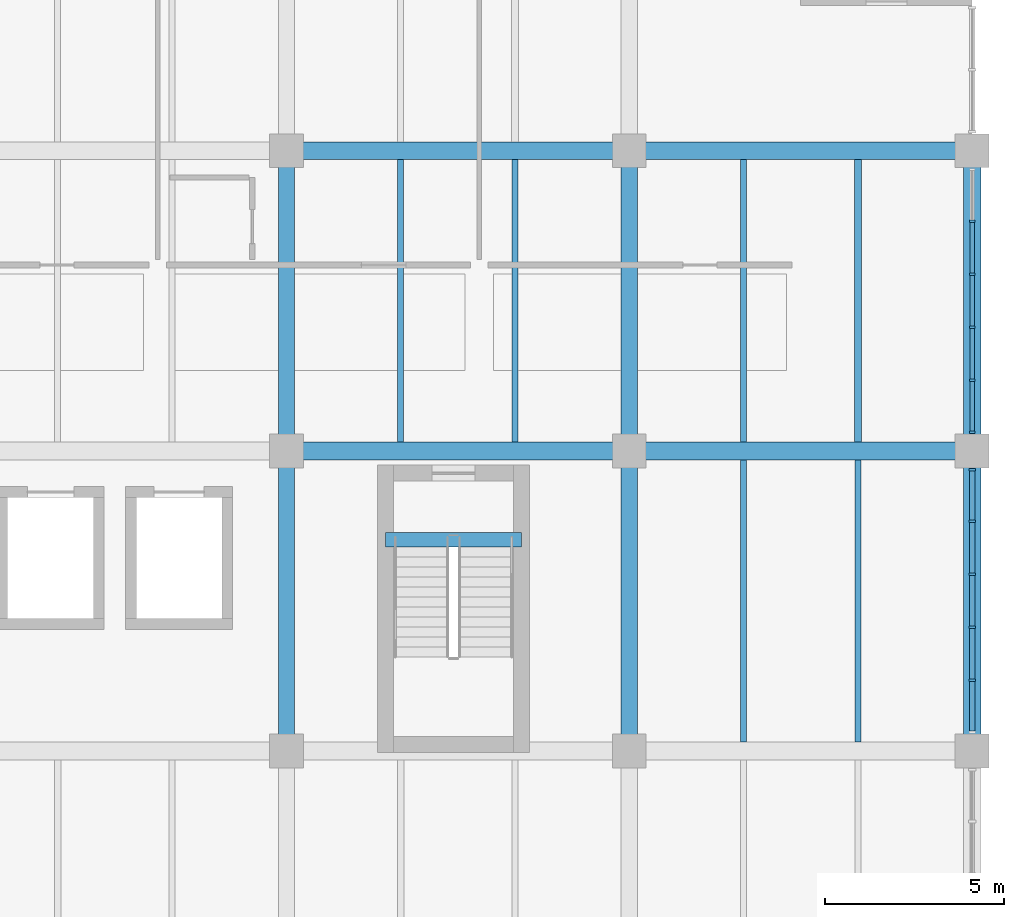
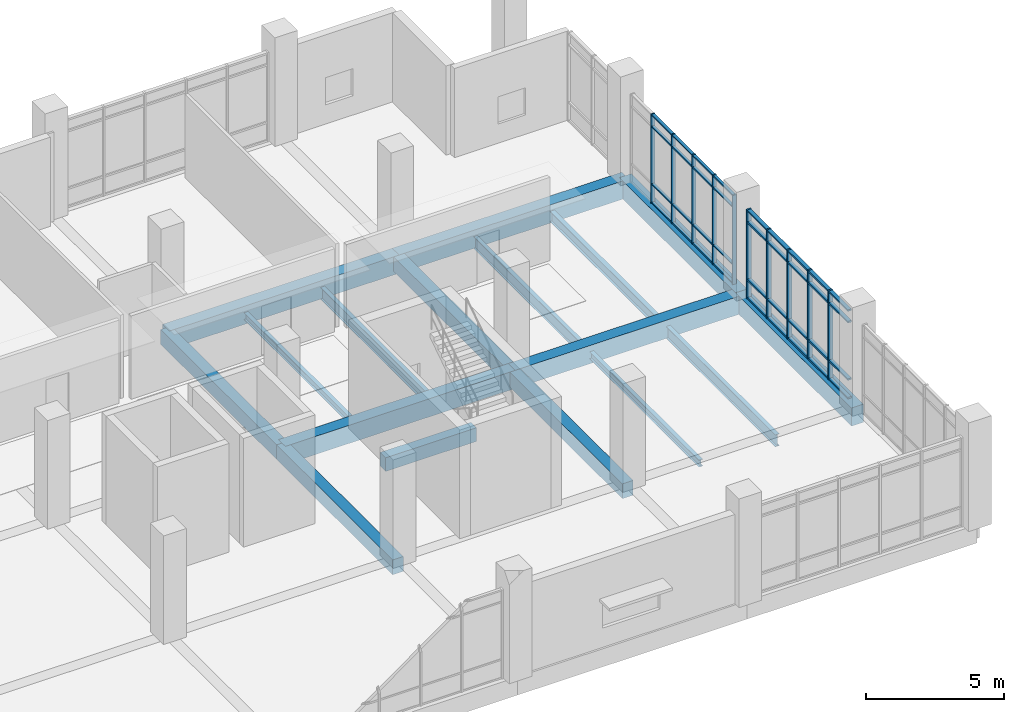
# One storey, part 76 of 152: 46 members, 17 beams, 2 elements without a shape of their own.
"""IFC4 building model written with IfcOpenShell, lengths in metres."""

from ifc_helpers import new_model, si_unit, direction, frame, origin, origin_2d, place, context, subcontext, project, spatial, rectangle, i_section, extrude, material, material_profile, profile_set, type_object, element, aggregate, save


model = new_model("IFC4")

# Units and contexts
model_context = context("Model", 3, precision=1e-05, world=origin(), true_north=direction((0.0, 1.0)))
body_context = subcontext(model_context, "Body", "Model", "MODEL_VIEW")
ifc_project = project(units=[si_unit("LENGTHUNIT", "METRE"), si_unit("AREAUNIT", "SQUARE_METRE"), si_unit("VOLUMEUNIT", "CUBIC_METRE"), si_unit("PLANEANGLEUNIT", "RADIAN"), si_unit("MASSUNIT", "GRAM", prefix="KILO")], contexts=[model_context])

# Site, building, storey
site_placement = place(None, origin())
site = spatial("IfcSite", under=ifc_project, at=site_placement, CompositionType="ELEMENT")
building_placement = place(site_placement, origin())
building = spatial("IfcBuilding", under=site, at=building_placement, Name="Oolite Switchyard Hospital", CompositionType="ELEMENT")
storey_placement = place(building_placement, frame((0.0, 0.0, 5.10009765625)))
storey = spatial("IfcBuildingStorey", under=building, at=storey_placement, Name="L01", CompositionType="ELEMENT", Elevation=5.10009765625)

# Beams
ifc_material_1 = material(Name="Concrete C40/50", Category="concrete")
ifc_material_profile_1 = material_profile(ifc_material_1, rectangle(XDim=0.39990234375, YDim=0.60009765625, at=origin_2d()), Name="RCB400X600")
ifc_profile_set_1 = profile_set([ifc_material_profile_1], Name="Concrete C40/50")
beam_type_1 = type_object("IfcBeamType", Name="BM-RC400X600", PredefinedType="BEAM", material=ifc_profile_set_1)
beam_1_placement = place(storey_placement, frame((194.77490234375, 115.110107421875, -0.300048828125), z_axis=(1.0, 0.0, 0.0), x_axis=(0.0, 1.0, 0.0)))
element("IfcBeam", 1, at=beam_1_placement, inside=storey, type_object=beam_type_1, Name="L01 ST-04 Stair Throat Trimmer Beam", PredefinedType="BEAM", context=body_context, shape_type="SweptSolid", body=[
    extrude(rectangle(XDim=0.39990234375, YDim=0.60009765625, at=origin_2d()), origin(), (0.0, 0.0, 1.0), 3.81005859375),
])
ifc_material_profile_2 = material_profile(ifc_material_1, rectangle(XDim=0.449951171875, YDim=0.64990234375, at=origin_2d()), Name="RCB450X650")
ifc_profile_set_2 = profile_set([ifc_material_profile_2], Name="Concrete C40/50")
beam_type_2 = type_object("IfcBeamType", Name="BM-RC450X650", PredefinedType="BEAM", material=ifc_profile_set_2)
beam_2_placement = place(storey_placement, frame((192.0, 109.199951171875, -0.3251953125), z_axis=(0.0, 1.0, 0.0), x_axis=(-1.0, 0.0, 0.0)))
element("IfcBeam", 2, at=beam_2_placement, inside=storey, type_object=beam_type_2, Name="L01 Y-Girder 532", PredefinedType="BEAM", context=body_context, shape_type="SweptSolid", body=[
    extrude(rectangle(XDim=0.449951171875, YDim=0.64990234375, at=origin_2d()), origin(), (0.0, 0.0, 1.0), 8.400146484375),
])
beam_3_placement = place(storey_placement, frame((192.0, 117.60009765625, -0.3251953125), z_axis=(0.0, 1.0, 0.0), x_axis=(-1.0, 0.0, 0.0)))
element("IfcBeam", 3, at=beam_3_placement, inside=storey, type_object=beam_type_2, Name="L01 Y-Girder 533", PredefinedType="BEAM", context=body_context, shape_type="SweptSolid", body=[
    extrude(rectangle(XDim=0.449951171875, YDim=0.64990234375, at=origin_2d()), origin(), (0.0, 0.0, 1.0), 8.39990234375),
])
beam_4_placement = place(storey_placement, frame((201.60009765625, 109.199951171875, -0.3251953125), z_axis=(0.0, 1.0, 0.0), x_axis=(-1.0, 0.0, 0.0)))
element("IfcBeam", 4, at=beam_4_placement, inside=storey, type_object=beam_type_2, Name="L01 Y-Girder 544", PredefinedType="BEAM", context=body_context, shape_type="SweptSolid", body=[
    extrude(rectangle(XDim=0.449951171875, YDim=0.64990234375, at=origin_2d()), origin(), (0.0, 0.0, 1.0), 8.400146484375),
])
beam_5_placement = place(storey_placement, frame((201.60009765625, 117.60009765625, -0.3251953125), z_axis=(0.0, 1.0, 0.0), x_axis=(-1.0, 0.0, 0.0)))
element("IfcBeam", 5, at=beam_5_placement, inside=storey, type_object=beam_type_2, Name="L01 Y-Girder 545", PredefinedType="BEAM", context=body_context, shape_type="SweptSolid", body=[
    extrude(rectangle(XDim=0.449951171875, YDim=0.64990234375, at=origin_2d()), origin(), (0.0, 0.0, 1.0), 8.39990234375),
])
ifc_material_profile_3 = material_profile(ifc_material_1, rectangle(XDim=0.5, YDim=0.800048828125, at=origin_2d()), Name="RCB500X800")
ifc_profile_set_3 = profile_set([ifc_material_profile_3], Name="Concrete C40/50")
beam_type_3 = type_object("IfcBeamType", Name="BM-RC500X800", PredefinedType="BEAM", material=ifc_profile_set_3)
beam_6_placement = place(storey_placement, frame((192.0, 117.60009765625, -0.400146484375), z_axis=(1.0, 0.0, 0.0), x_axis=(0.0, 1.0, 0.0)))
element("IfcBeam", 6, at=beam_6_placement, inside=storey, type_object=beam_type_3, Name="L01 X-Girder 253", PredefinedType="BEAM", context=body_context, shape_type="SweptSolid", body=[
    extrude(rectangle(XDim=0.5, YDim=0.800048828125, at=origin_2d()), origin(), (0.0, 0.0, 1.0), 9.60009765625),
])
beam_7_placement = place(storey_placement, frame((201.60009765625, 117.60009765625, -0.400146484375), z_axis=(1.0, 0.0, 0.0), x_axis=(0.0, 1.0, 0.0)))
element("IfcBeam", 7, at=beam_7_placement, inside=storey, type_object=beam_type_3, Name="L01 X-Girder 254", PredefinedType="BEAM", context=body_context, shape_type="SweptSolid", body=[
    extrude(rectangle(XDim=0.5, YDim=0.800048828125, at=origin_2d()), origin(), (0.0, 0.0, 1.0), 9.599853515625),
])
beam_8_placement = place(storey_placement, frame((192.0, 126.0, -0.400146484375), z_axis=(1.0, 0.0, 0.0), x_axis=(0.0, 1.0, 0.0)))
element("IfcBeam", 8, at=beam_8_placement, inside=storey, type_object=beam_type_3, Name="L01 X-Girder 269", PredefinedType="BEAM", context=body_context, shape_type="SweptSolid", body=[
    extrude(rectangle(XDim=0.5, YDim=0.800048828125, at=origin_2d()), origin(), (0.0, 0.0, 1.0), 9.60009765625),
])
beam_9_placement = place(storey_placement, frame((201.60009765625, 126.0, -0.400146484375), z_axis=(1.0, 0.0, 0.0), x_axis=(0.0, 1.0, 0.0)))
element("IfcBeam", 9, at=beam_9_placement, inside=storey, type_object=beam_type_3, Name="L01 X-Girder 270", PredefinedType="BEAM", context=body_context, shape_type="SweptSolid", body=[
    extrude(rectangle(XDim=0.5, YDim=0.800048828125, at=origin_2d()), origin(), (0.0, 0.0, 1.0), 9.599853515625),
])
beam_10_placement = place(storey_placement, frame((211.199951171875, 109.199951171875, -0.400146484375), z_axis=(0.0, 1.0, 0.0), x_axis=(-1.0, 0.0, 0.0)))
element("IfcBeam", 10, at=beam_10_placement, inside=storey, type_object=beam_type_3, Name="L01 Y-Girder 560", PredefinedType="BEAM", context=body_context, shape_type="SweptSolid", body=[
    extrude(rectangle(XDim=0.5, YDim=0.800048828125, at=origin_2d()), origin(), (0.0, 0.0, 1.0), 8.400146484375),
])
beam_11_placement = place(storey_placement, frame((211.199951171875, 117.60009765625, -0.400146484375), z_axis=(0.0, 1.0, 0.0), x_axis=(-1.0, 0.0, 0.0)))
element("IfcBeam", 11, at=beam_11_placement, inside=storey, type_object=beam_type_3, Name="L01 Y-Girder 561", PredefinedType="BEAM", context=body_context, shape_type="SweptSolid", body=[
    extrude(rectangle(XDim=0.5, YDim=0.800048828125, at=origin_2d()), origin(), (0.0, 0.0, 1.0), 8.39990234375),
])
ifc_material_2 = material(Name="Steel ASTM A992 Grade 50", Category="steel")
ifc_material_profile_4 = material_profile(ifc_material_2, i_section(OverallWidth=0.1650390625, OverallDepth=0.31005859375, WebThickness=0.006103515625, FlangeThickness=0.010009765625, at=origin_2d()), Name="W12X26")
ifc_profile_set_4 = profile_set([ifc_material_profile_4], Name="Steel ASTM A992 Grade 50")
beam_type_4 = type_object("IfcBeamType", Name="BM-W12X26", PredefinedType="JOIST", material=ifc_profile_set_4)
beam_12_placement = place(storey_placement, frame((195.199951171875, 117.85009765625, -0.43017578125), z_axis=(0.0, 1.0, 0.0), x_axis=(-1.0, 0.0, 0.0)))
element("IfcBeam", 12, at=beam_12_placement, inside=storey, type_object=beam_type_4, Name="L01 Secondary Steel Joist 968", PredefinedType="JOIST", context=body_context, shape_type="SweptSolid", body=[
    extrude(i_section(OverallWidth=0.1650390625, OverallDepth=0.31005859375, WebThickness=0.006103515625, FlangeThickness=0.010009765625, at=origin_2d()), origin(), (0.0, 0.0, 1.0), 7.89990234375),
])
beam_13_placement = place(storey_placement, frame((204.800048828125, 109.449951171875, -0.43017578125), z_axis=(0.0, 1.0, 0.0), x_axis=(-1.0, 0.0, 0.0)))
element("IfcBeam", 13, at=beam_13_placement, inside=storey, type_object=beam_type_4, Name="L01 Secondary Steel Joist 984", PredefinedType="JOIST", context=body_context, shape_type="SweptSolid", body=[
    extrude(i_section(OverallWidth=0.1650390625, OverallDepth=0.31005859375, WebThickness=0.006103515625, FlangeThickness=0.010009765625, at=origin_2d()), origin(), (0.0, 0.0, 1.0), 7.900146484375),
])
ifc_material_profile_5 = material_profile(ifc_material_2, i_section(OverallWidth=0.19091796875, OverallDepth=0.4599609375, WebThickness=0.010009765625, FlangeThickness=0.01611328125, at=origin_2d()), Name="W18X55")
ifc_profile_set_5 = profile_set([ifc_material_profile_5], Name="Steel ASTM A992 Grade 50")
beam_type_5 = type_object("IfcBeamType", Name="BM-W18X55", PredefinedType="JOIST", material=ifc_profile_set_5)
beam_14_placement = place(storey_placement, frame((208.0, 117.85009765625, -0.505126953125), z_axis=(0.0, 1.0, 0.0), x_axis=(-1.0, 0.0, 0.0)))
element("IfcBeam", 14, at=beam_14_placement, inside=storey, type_object=beam_type_5, Name="L01 Secondary Steel Joist 987", PredefinedType="JOIST", context=body_context, shape_type="SweptSolid", body=[
    extrude(i_section(OverallWidth=0.19091796875, OverallDepth=0.4599609375, WebThickness=0.010009765625, FlangeThickness=0.01611328125, at=origin_2d()), origin(), (0.0, 0.0, 1.0), 7.89990234375),
])
ifc_material_profile_6 = material_profile(ifc_material_2, i_section(OverallWidth=0.166015625, OverallDepth=0.529052734375, WebThickness=0.010009765625, FlangeThickness=0.013916015625, at=origin_2d()), Name="W21X50")
ifc_profile_set_6 = profile_set([ifc_material_profile_6], Name="Steel ASTM A992 Grade 50")
beam_type_6 = type_object("IfcBeamType", Name="BM-W21X50", PredefinedType="JOIST", material=ifc_profile_set_6)
beam_15_placement = place(storey_placement, frame((198.39990234375, 117.85009765625, -0.5400390625), z_axis=(0.0, 1.0, 0.0), x_axis=(-1.0, 0.0, 0.0)))
element("IfcBeam", 15, at=beam_15_placement, inside=storey, type_object=beam_type_6, Name="L01 Secondary Steel Joist 969", PredefinedType="JOIST", context=body_context, shape_type="SweptSolid", body=[
    extrude(i_section(OverallWidth=0.166015625, OverallDepth=0.529052734375, WebThickness=0.010009765625, FlangeThickness=0.013916015625, at=origin_2d()), origin(), (0.0, 0.0, 1.0), 7.89990234375),
])
beam_16_placement = place(storey_placement, frame((208.0, 109.449951171875, -0.5400390625), z_axis=(0.0, 1.0, 0.0), x_axis=(-1.0, 0.0, 0.0)))
element("IfcBeam", 16, at=beam_16_placement, inside=storey, type_object=beam_type_6, Name="L01 Secondary Steel Joist 985", PredefinedType="JOIST", context=body_context, shape_type="SweptSolid", body=[
    extrude(i_section(OverallWidth=0.166015625, OverallDepth=0.529052734375, WebThickness=0.010009765625, FlangeThickness=0.013916015625, at=origin_2d()), origin(), (0.0, 0.0, 1.0), 7.900146484375),
])
beam_17_placement = place(storey_placement, frame((204.800048828125, 117.85009765625, -0.5400390625), z_axis=(0.0, 1.0, 0.0), x_axis=(-1.0, 0.0, 0.0)))
element("IfcBeam", 17, at=beam_17_placement, inside=storey, type_object=beam_type_6, Name="L01 Secondary Steel Joist 986", PredefinedType="JOIST", context=body_context, shape_type="SweptSolid", body=[
    extrude(i_section(OverallWidth=0.166015625, OverallDepth=0.529052734375, WebThickness=0.010009765625, FlangeThickness=0.013916015625, at=origin_2d()), origin(), (0.0, 0.0, 1.0), 7.89990234375),
])

# Curtain wall, members
ifc_material_3 = material(Name="Thermally broken aluminum frame with laminated impact glazing", Category="aluminium")
curtain_wall_type = type_object("IfcCurtainWallType", Name="CW-UNIT-84X48", PredefinedType="USERDEFINED", material=ifc_material_3)
curtain_wall_1_placement = place(storey_placement, origin())
curtain_wall_1 = element("IfcCurtainWall", 18, at=curtain_wall_1_placement, inside=storey, type_object=curtain_wall_type, Name="L01 Unitised Curtain Wall 206", ObjectType="UNITISED", PredefinedType="USERDEFINED")
ifc_material_4 = material(Name="Aluminium 6063-T6", Category="aluminium")
ifc_material_profile_7 = material_profile(ifc_material_4, rectangle(XDim=0.159912109375, YDim=0.06005859375, at=origin_2d()), Name="CWM60X160")
ifc_profile_set_7 = profile_set([ifc_material_profile_7], Name="Aluminium 6063-T6")
member_type_1 = type_object("IfcMemberType", Name="CW-MUL-180", PredefinedType="MULLION", material=ifc_profile_set_7)
member_1_placement = place(storey_placement, frame((211.199951171875, 124.02587890625, 0.0), z_axis=(0.0, 0.0, 1.0), x_axis=(1.0, 0.0, 0.0)))
member_1 = element("IfcMember", 19, at=member_1_placement, type_object=member_type_1, Name="CW-07 mullion 2", PredefinedType="MULLION", context=body_context, shape_type="SweptSolid", body=[
    extrude(rectangle(XDim=0.159912109375, YDim=0.06005859375, at=origin_2d()), origin(), (0.0, 0.0, 1.0), 3.93994140625),
])
member_2_placement = place(storey_placement, frame((211.199951171875, 122.5419921875, 0.0), z_axis=(0.0, 0.0, 1.0), x_axis=(1.0, 0.0, 0.0)))
member_2 = element("IfcMember", 20, at=member_2_placement, type_object=member_type_1, Name="CW-07 mullion 3", PredefinedType="MULLION", context=body_context, shape_type="SweptSolid", body=[
    extrude(rectangle(XDim=0.159912109375, YDim=0.06005859375, at=origin_2d()), origin(), (0.0, 0.0, 1.0), 3.93994140625),
])
member_3_placement = place(storey_placement, frame((211.199951171875, 121.05810546875, 0.0), z_axis=(0.0, 0.0, 1.0), x_axis=(1.0, 0.0, 0.0)))
member_3 = element("IfcMember", 21, at=member_3_placement, type_object=member_type_1, Name="CW-07 mullion 4", PredefinedType="MULLION", context=body_context, shape_type="SweptSolid", body=[
    extrude(rectangle(XDim=0.159912109375, YDim=0.06005859375, at=origin_2d()), origin(), (0.0, 0.0, 1.0), 3.93994140625),
])
member_4_placement = place(storey_placement, frame((211.199951171875, 119.573974609375, 0.0), z_axis=(0.0, 0.0, 1.0), x_axis=(1.0, 0.0, 0.0)))
member_4 = element("IfcMember", 22, at=member_4_placement, type_object=member_type_1, Name="CW-07 mullion 5", PredefinedType="MULLION", context=body_context, shape_type="SweptSolid", body=[
    extrude(rectangle(XDim=0.159912109375, YDim=0.06005859375, at=origin_2d()), origin(), (0.0, 0.0, 1.0), 3.93994140625),
])
member_5_placement = place(storey_placement, frame((211.199951171875, 118.1201171875, 0.0), z_axis=(0.0, 0.0, 1.0), x_axis=(1.0, 0.0, 0.0)))
member_5 = element("IfcMember", 23, at=member_5_placement, type_object=member_type_1, Name="CW-07 mullion 6", PredefinedType="MULLION", context=body_context, shape_type="SweptSolid", body=[
    extrude(rectangle(XDim=0.159912109375, YDim=0.06005859375, at=origin_2d()), origin(), (0.0, 0.0, 1.0), 3.93994140625),
])

curtain_wall_2_placement = place(storey_placement, origin())
curtain_wall_2 = element("IfcCurtainWall", 24, at=curtain_wall_2_placement, inside=storey, type_object=curtain_wall_type, Name="L01 Unitised Curtain Wall 207", ObjectType="UNITISED", PredefinedType="USERDEFINED")
ifc_material_profile_8 = material_profile(ifc_material_4, rectangle(XDim=0.179931640625, YDim=0.070068359375, at=origin_2d()), Name="CWM70X180")
ifc_profile_set_8 = profile_set([ifc_material_profile_8], Name="Aluminium 6063-T6")
member_type_2 = type_object("IfcMemberType", Name="CW-MUL-220", PredefinedType="MULLION", material=ifc_profile_set_8)
member_6_placement = place(storey_placement, frame((211.199951171875, 117.074951171875, 0.0), z_axis=(0.0, 0.0, 1.0), x_axis=(1.0, 0.0, 0.0)))
member_6 = element("IfcMember", 25, at=member_6_placement, type_object=member_type_2, Name="CW-07 mullion 1", PredefinedType="MULLION", context=body_context, shape_type="SweptSolid", body=[
    extrude(rectangle(XDim=0.179931640625, YDim=0.070068359375, at=origin_2d()), origin(), (0.0, 0.0, 1.0), 3.93994140625),
])
member_7_placement = place(storey_placement, frame((211.199951171875, 115.6259765625, 0.0), z_axis=(0.0, 0.0, 1.0), x_axis=(1.0, 0.0, 0.0)))
member_7 = element("IfcMember", 26, at=member_7_placement, type_object=member_type_2, Name="CW-07 mullion 2", PredefinedType="MULLION", context=body_context, shape_type="SweptSolid", body=[
    extrude(rectangle(XDim=0.179931640625, YDim=0.070068359375, at=origin_2d()), origin(), (0.0, 0.0, 1.0), 3.93994140625),
])
member_8_placement = place(storey_placement, frame((211.199951171875, 114.14208984375, 0.0), z_axis=(0.0, 0.0, 1.0), x_axis=(1.0, 0.0, 0.0)))
member_8 = element("IfcMember", 27, at=member_8_placement, type_object=member_type_2, Name="CW-07 mullion 3", PredefinedType="MULLION", context=body_context, shape_type="SweptSolid", body=[
    extrude(rectangle(XDim=0.179931640625, YDim=0.070068359375, at=origin_2d()), origin(), (0.0, 0.0, 1.0), 3.93994140625),
])
member_9_placement = place(storey_placement, frame((211.199951171875, 112.657958984375, 0.0), z_axis=(0.0, 0.0, 1.0), x_axis=(1.0, 0.0, 0.0)))
member_9 = element("IfcMember", 28, at=member_9_placement, type_object=member_type_2, Name="CW-07 mullion 4", PredefinedType="MULLION", context=body_context, shape_type="SweptSolid", body=[
    extrude(rectangle(XDim=0.179931640625, YDim=0.070068359375, at=origin_2d()), origin(), (0.0, 0.0, 1.0), 3.93994140625),
])
member_10_placement = place(storey_placement, frame((211.199951171875, 111.174072265625, 0.0), z_axis=(0.0, 0.0, 1.0), x_axis=(1.0, 0.0, 0.0)))
member_10 = element("IfcMember", 29, at=member_10_placement, type_object=member_type_2, Name="CW-07 mullion 5", PredefinedType="MULLION", context=body_context, shape_type="SweptSolid", body=[
    extrude(rectangle(XDim=0.179931640625, YDim=0.070068359375, at=origin_2d()), origin(), (0.0, 0.0, 1.0), 3.93994140625),
])

# Member
ifc_material_profile_9 = material_profile(ifc_material_4, rectangle(XDim=0.1201171875, YDim=0.06005859375, at=origin_2d()), Name="CWT60X120")
ifc_profile_set_9 = profile_set([ifc_material_profile_9], Name="Aluminium 6063-T6")
member_type_3 = type_object("IfcMemberType", Name="CW-TRN-150", PredefinedType="USERDEFINED", material=ifc_profile_set_9)
member_11_placement = place(storey_placement, frame((211.199951171875, 123.99609375, 0.02978515625), z_axis=(0.0, -1.0, 0.0), x_axis=(1.0, 0.0, 0.0)))
member_11 = element("IfcMember", 30, at=member_11_placement, type_object=member_type_3, Name="CW-07 transom 2.1", ObjectType="TRANSOM", PredefinedType="USERDEFINED", context=body_context, shape_type="SweptSolid", body=[
    extrude(rectangle(XDim=0.1201171875, YDim=0.06005859375, at=origin_2d()), origin(), (0.0, 0.0, 1.0), 1.424072265625),
])

member_12_placement = place(storey_placement, frame((211.199951171875, 123.99609375, 0.849853515625), z_axis=(0.0, -1.0, 0.0), x_axis=(1.0, 0.0, 0.0)))
member_12 = element("IfcMember", 31, at=member_12_placement, type_object=member_type_3, Name="CW-07 transom 2.2", ObjectType="TRANSOM", PredefinedType="USERDEFINED", context=body_context, shape_type="SweptSolid", body=[
    extrude(rectangle(XDim=0.1201171875, YDim=0.06005859375, at=origin_2d()), origin(), (0.0, 0.0, 1.0), 1.424072265625),
])

member_13_placement = place(storey_placement, frame((211.199951171875, 123.99609375, 3.389892578125), z_axis=(0.0, -1.0, 0.0), x_axis=(1.0, 0.0, 0.0)))
member_13 = element("IfcMember", 32, at=member_13_placement, type_object=member_type_3, Name="CW-07 transom 2.3", ObjectType="TRANSOM", PredefinedType="USERDEFINED", context=body_context, shape_type="SweptSolid", body=[
    extrude(rectangle(XDim=0.1201171875, YDim=0.06005859375, at=origin_2d()), origin(), (0.0, 0.0, 1.0), 1.424072265625),
])

member_14_placement = place(storey_placement, frame((211.199951171875, 123.99609375, 3.909912109375), z_axis=(0.0, -1.0, 0.0), x_axis=(1.0, 0.0, 0.0)))
member_14 = element("IfcMember", 33, at=member_14_placement, type_object=member_type_3, Name="CW-07 transom 2.4", ObjectType="TRANSOM", PredefinedType="USERDEFINED", context=body_context, shape_type="SweptSolid", body=[
    extrude(rectangle(XDim=0.1201171875, YDim=0.06005859375, at=origin_2d()), origin(), (0.0, 0.0, 1.0), 1.424072265625),
])

member_15_placement = place(storey_placement, frame((211.199951171875, 122.511962890625, 0.02978515625), z_axis=(0.0, -1.0, 0.0), x_axis=(1.0, 0.0, 0.0)))
member_15 = element("IfcMember", 34, at=member_15_placement, type_object=member_type_3, Name="CW-07 transom 3.1", ObjectType="TRANSOM", PredefinedType="USERDEFINED", context=body_context, shape_type="SweptSolid", body=[
    extrude(rectangle(XDim=0.1201171875, YDim=0.06005859375, at=origin_2d()), origin(), (0.0, 0.0, 1.0), 1.424072265625),
])

member_16_placement = place(storey_placement, frame((211.199951171875, 122.511962890625, 0.849853515625), z_axis=(0.0, -1.0, 0.0), x_axis=(1.0, 0.0, 0.0)))
member_16 = element("IfcMember", 35, at=member_16_placement, type_object=member_type_3, Name="CW-07 transom 3.2", ObjectType="TRANSOM", PredefinedType="USERDEFINED", context=body_context, shape_type="SweptSolid", body=[
    extrude(rectangle(XDim=0.1201171875, YDim=0.06005859375, at=origin_2d()), origin(), (0.0, 0.0, 1.0), 1.424072265625),
])

member_17_placement = place(storey_placement, frame((211.199951171875, 122.511962890625, 3.389892578125), z_axis=(0.0, -1.0, 0.0), x_axis=(1.0, 0.0, 0.0)))
member_17 = element("IfcMember", 36, at=member_17_placement, type_object=member_type_3, Name="CW-07 transom 3.3", ObjectType="TRANSOM", PredefinedType="USERDEFINED", context=body_context, shape_type="SweptSolid", body=[
    extrude(rectangle(XDim=0.1201171875, YDim=0.06005859375, at=origin_2d()), origin(), (0.0, 0.0, 1.0), 1.424072265625),
])

member_18_placement = place(storey_placement, frame((211.199951171875, 122.511962890625, 3.909912109375), z_axis=(0.0, -1.0, 0.0), x_axis=(1.0, 0.0, 0.0)))
member_18 = element("IfcMember", 37, at=member_18_placement, type_object=member_type_3, Name="CW-07 transom 3.4", ObjectType="TRANSOM", PredefinedType="USERDEFINED", context=body_context, shape_type="SweptSolid", body=[
    extrude(rectangle(XDim=0.1201171875, YDim=0.06005859375, at=origin_2d()), origin(), (0.0, 0.0, 1.0), 1.424072265625),
])

member_19_placement = place(storey_placement, frame((211.199951171875, 121.028076171875, 0.02978515625), z_axis=(0.0, -1.0, 0.0), x_axis=(1.0, 0.0, 0.0)))
member_19 = element("IfcMember", 38, at=member_19_placement, type_object=member_type_3, Name="CW-07 transom 4.1", ObjectType="TRANSOM", PredefinedType="USERDEFINED", context=body_context, shape_type="SweptSolid", body=[
    extrude(rectangle(XDim=0.1201171875, YDim=0.06005859375, at=origin_2d()), origin(), (0.0, 0.0, 1.0), 1.424072265625),
])

member_20_placement = place(storey_placement, frame((211.199951171875, 121.028076171875, 0.849853515625), z_axis=(0.0, -1.0, 0.0), x_axis=(1.0, 0.0, 0.0)))
member_20 = element("IfcMember", 39, at=member_20_placement, type_object=member_type_3, Name="CW-07 transom 4.2", ObjectType="TRANSOM", PredefinedType="USERDEFINED", context=body_context, shape_type="SweptSolid", body=[
    extrude(rectangle(XDim=0.1201171875, YDim=0.06005859375, at=origin_2d()), origin(), (0.0, 0.0, 1.0), 1.424072265625),
])

member_21_placement = place(storey_placement, frame((211.199951171875, 121.028076171875, 3.389892578125), z_axis=(0.0, -1.0, 0.0), x_axis=(1.0, 0.0, 0.0)))
member_21 = element("IfcMember", 40, at=member_21_placement, type_object=member_type_3, Name="CW-07 transom 4.3", ObjectType="TRANSOM", PredefinedType="USERDEFINED", context=body_context, shape_type="SweptSolid", body=[
    extrude(rectangle(XDim=0.1201171875, YDim=0.06005859375, at=origin_2d()), origin(), (0.0, 0.0, 1.0), 1.424072265625),
])

member_22_placement = place(storey_placement, frame((211.199951171875, 121.028076171875, 3.909912109375), z_axis=(0.0, -1.0, 0.0), x_axis=(1.0, 0.0, 0.0)))
member_22 = element("IfcMember", 41, at=member_22_placement, type_object=member_type_3, Name="CW-07 transom 4.4", ObjectType="TRANSOM", PredefinedType="USERDEFINED", context=body_context, shape_type="SweptSolid", body=[
    extrude(rectangle(XDim=0.1201171875, YDim=0.06005859375, at=origin_2d()), origin(), (0.0, 0.0, 1.0), 1.424072265625),
])

member_23_placement = place(storey_placement, frame((211.199951171875, 119.5439453125, 0.02978515625), z_axis=(0.0, -1.0, 0.0), x_axis=(1.0, 0.0, 0.0)))
member_23 = element("IfcMember", 42, at=member_23_placement, type_object=member_type_3, Name="CW-07 transom 5.1", ObjectType="TRANSOM", PredefinedType="USERDEFINED", context=body_context, shape_type="SweptSolid", body=[
    extrude(rectangle(XDim=0.1201171875, YDim=0.06005859375, at=origin_2d()), origin(), (0.0, 0.0, 1.0), 1.39404296875),
])

member_24_placement = place(storey_placement, frame((211.199951171875, 119.5439453125, 0.849853515625), z_axis=(0.0, -1.0, 0.0), x_axis=(1.0, 0.0, 0.0)))
member_24 = element("IfcMember", 43, at=member_24_placement, type_object=member_type_3, Name="CW-07 transom 5.2", ObjectType="TRANSOM", PredefinedType="USERDEFINED", context=body_context, shape_type="SweptSolid", body=[
    extrude(rectangle(XDim=0.1201171875, YDim=0.06005859375, at=origin_2d()), origin(), (0.0, 0.0, 1.0), 1.39404296875),
])

member_25_placement = place(storey_placement, frame((211.199951171875, 119.5439453125, 3.389892578125), z_axis=(0.0, -1.0, 0.0), x_axis=(1.0, 0.0, 0.0)))
member_25 = element("IfcMember", 44, at=member_25_placement, type_object=member_type_3, Name="CW-07 transom 5.3", ObjectType="TRANSOM", PredefinedType="USERDEFINED", context=body_context, shape_type="SweptSolid", body=[
    extrude(rectangle(XDim=0.1201171875, YDim=0.06005859375, at=origin_2d()), origin(), (0.0, 0.0, 1.0), 1.39404296875),
])

member_26_placement = place(storey_placement, frame((211.199951171875, 119.5439453125, 3.909912109375), z_axis=(0.0, -1.0, 0.0), x_axis=(1.0, 0.0, 0.0)))
member_26 = element("IfcMember", 45, at=member_26_placement, type_object=member_type_3, Name="CW-07 transom 5.4", ObjectType="TRANSOM", PredefinedType="USERDEFINED", context=body_context, shape_type="SweptSolid", body=[
    extrude(rectangle(XDim=0.1201171875, YDim=0.06005859375, at=origin_2d()), origin(), (0.0, 0.0, 1.0), 1.39404296875),
])

aggregate(curtain_wall_1, [member_1, member_2, member_3, member_4, member_5, member_11, member_12, member_13, member_14, member_15, member_16, member_17, member_18, member_19, member_20, member_21, member_22, member_23, member_24, member_25, member_26])

ifc_material_profile_10 = material_profile(ifc_material_4, rectangle(XDim=0.159912109375, YDim=0.074951171875, at=origin_2d()), Name="CWT75X160")
ifc_profile_set_10 = profile_set([ifc_material_profile_10], Name="Aluminium 6063-T6")
member_type_4 = type_object("IfcMemberType", Name="CW-TRN-180", PredefinedType="USERDEFINED", material=ifc_profile_set_10)
member_27_placement = place(storey_placement, frame((211.199951171875, 117.0400390625, 0.037353515625), z_axis=(0.0, -1.0, 0.0), x_axis=(1.0, 0.0, 0.0)))
member_27 = element("IfcMember", 46, at=member_27_placement, type_object=member_type_4, Name="CW-07 transom 1.1", ObjectType="TRANSOM", PredefinedType="USERDEFINED", context=body_context, shape_type="SweptSolid", body=[
    extrude(rectangle(XDim=0.159912109375, YDim=0.074951171875, at=origin_2d()), origin(), (0.0, 0.0, 1.0), 1.379150390625),
])

member_28_placement = place(storey_placement, frame((211.199951171875, 117.0400390625, 0.849853515625), z_axis=(0.0, -1.0, 0.0), x_axis=(1.0, 0.0, 0.0)))
member_28 = element("IfcMember", 47, at=member_28_placement, type_object=member_type_4, Name="CW-07 transom 1.2", ObjectType="TRANSOM", PredefinedType="USERDEFINED", context=body_context, shape_type="SweptSolid", body=[
    extrude(rectangle(XDim=0.159912109375, YDim=0.074951171875, at=origin_2d()), origin(), (0.0, 0.0, 1.0), 1.379150390625),
])

member_29_placement = place(storey_placement, frame((211.199951171875, 117.0400390625, 3.389892578125), z_axis=(0.0, -1.0, 0.0), x_axis=(1.0, 0.0, 0.0)))
member_29 = element("IfcMember", 48, at=member_29_placement, type_object=member_type_4, Name="CW-07 transom 1.3", ObjectType="TRANSOM", PredefinedType="USERDEFINED", context=body_context, shape_type="SweptSolid", body=[
    extrude(rectangle(XDim=0.159912109375, YDim=0.074951171875, at=origin_2d()), origin(), (0.0, 0.0, 1.0), 1.379150390625),
])

member_30_placement = place(storey_placement, frame((211.199951171875, 117.0400390625, 3.90234375), z_axis=(0.0, -1.0, 0.0), x_axis=(1.0, 0.0, 0.0)))
member_30 = element("IfcMember", 49, at=member_30_placement, type_object=member_type_4, Name="CW-07 transom 1.4", ObjectType="TRANSOM", PredefinedType="USERDEFINED", context=body_context, shape_type="SweptSolid", body=[
    extrude(rectangle(XDim=0.159912109375, YDim=0.074951171875, at=origin_2d()), origin(), (0.0, 0.0, 1.0), 1.379150390625),
])

member_31_placement = place(storey_placement, frame((211.199951171875, 115.591064453125, 0.037353515625), z_axis=(0.0, -1.0, 0.0), x_axis=(1.0, 0.0, 0.0)))
member_31 = element("IfcMember", 50, at=member_31_placement, type_object=member_type_4, Name="CW-07 transom 2.1", ObjectType="TRANSOM", PredefinedType="USERDEFINED", context=body_context, shape_type="SweptSolid", body=[
    extrude(rectangle(XDim=0.159912109375, YDim=0.074951171875, at=origin_2d()), origin(), (0.0, 0.0, 1.0), 1.4140625),
])

member_32_placement = place(storey_placement, frame((211.199951171875, 115.591064453125, 0.849853515625), z_axis=(0.0, -1.0, 0.0), x_axis=(1.0, 0.0, 0.0)))
member_32 = element("IfcMember", 51, at=member_32_placement, type_object=member_type_4, Name="CW-07 transom 2.2", ObjectType="TRANSOM", PredefinedType="USERDEFINED", context=body_context, shape_type="SweptSolid", body=[
    extrude(rectangle(XDim=0.159912109375, YDim=0.074951171875, at=origin_2d()), origin(), (0.0, 0.0, 1.0), 1.4140625),
])

member_33_placement = place(storey_placement, frame((211.199951171875, 115.591064453125, 3.389892578125), z_axis=(0.0, -1.0, 0.0), x_axis=(1.0, 0.0, 0.0)))
member_33 = element("IfcMember", 52, at=member_33_placement, type_object=member_type_4, Name="CW-07 transom 2.3", ObjectType="TRANSOM", PredefinedType="USERDEFINED", context=body_context, shape_type="SweptSolid", body=[
    extrude(rectangle(XDim=0.159912109375, YDim=0.074951171875, at=origin_2d()), origin(), (0.0, 0.0, 1.0), 1.4140625),
])

member_34_placement = place(storey_placement, frame((211.199951171875, 115.591064453125, 3.90234375), z_axis=(0.0, -1.0, 0.0), x_axis=(1.0, 0.0, 0.0)))
member_34 = element("IfcMember", 53, at=member_34_placement, type_object=member_type_4, Name="CW-07 transom 2.4", ObjectType="TRANSOM", PredefinedType="USERDEFINED", context=body_context, shape_type="SweptSolid", body=[
    extrude(rectangle(XDim=0.159912109375, YDim=0.074951171875, at=origin_2d()), origin(), (0.0, 0.0, 1.0), 1.4140625),
])

member_35_placement = place(storey_placement, frame((211.199951171875, 114.10693359375, 0.037353515625), z_axis=(0.0, -1.0, 0.0), x_axis=(1.0, 0.0, 0.0)))
member_35 = element("IfcMember", 54, at=member_35_placement, type_object=member_type_4, Name="CW-07 transom 3.1", ObjectType="TRANSOM", PredefinedType="USERDEFINED", context=body_context, shape_type="SweptSolid", body=[
    extrude(rectangle(XDim=0.159912109375, YDim=0.074951171875, at=origin_2d()), origin(), (0.0, 0.0, 1.0), 1.413818359375),
])

member_36_placement = place(storey_placement, frame((211.199951171875, 114.10693359375, 0.849853515625), z_axis=(0.0, -1.0, 0.0), x_axis=(1.0, 0.0, 0.0)))
member_36 = element("IfcMember", 55, at=member_36_placement, type_object=member_type_4, Name="CW-07 transom 3.2", ObjectType="TRANSOM", PredefinedType="USERDEFINED", context=body_context, shape_type="SweptSolid", body=[
    extrude(rectangle(XDim=0.159912109375, YDim=0.074951171875, at=origin_2d()), origin(), (0.0, 0.0, 1.0), 1.413818359375),
])

member_37_placement = place(storey_placement, frame((211.199951171875, 114.10693359375, 3.389892578125), z_axis=(0.0, -1.0, 0.0), x_axis=(1.0, 0.0, 0.0)))
member_37 = element("IfcMember", 56, at=member_37_placement, type_object=member_type_4, Name="CW-07 transom 3.3", ObjectType="TRANSOM", PredefinedType="USERDEFINED", context=body_context, shape_type="SweptSolid", body=[
    extrude(rectangle(XDim=0.159912109375, YDim=0.074951171875, at=origin_2d()), origin(), (0.0, 0.0, 1.0), 1.413818359375),
])

member_38_placement = place(storey_placement, frame((211.199951171875, 114.10693359375, 3.90234375), z_axis=(0.0, -1.0, 0.0), x_axis=(1.0, 0.0, 0.0)))
member_38 = element("IfcMember", 57, at=member_38_placement, type_object=member_type_4, Name="CW-07 transom 3.4", ObjectType="TRANSOM", PredefinedType="USERDEFINED", context=body_context, shape_type="SweptSolid", body=[
    extrude(rectangle(XDim=0.159912109375, YDim=0.074951171875, at=origin_2d()), origin(), (0.0, 0.0, 1.0), 1.413818359375),
])

member_39_placement = place(storey_placement, frame((211.199951171875, 112.623046875, 0.037353515625), z_axis=(0.0, -1.0, 0.0), x_axis=(1.0, 0.0, 0.0)))
member_39 = element("IfcMember", 58, at=member_39_placement, type_object=member_type_4, Name="CW-07 transom 4.1", ObjectType="TRANSOM", PredefinedType="USERDEFINED", context=body_context, shape_type="SweptSolid", body=[
    extrude(rectangle(XDim=0.159912109375, YDim=0.074951171875, at=origin_2d()), origin(), (0.0, 0.0, 1.0), 1.4140625),
])

member_40_placement = place(storey_placement, frame((211.199951171875, 112.623046875, 0.849853515625), z_axis=(0.0, -1.0, 0.0), x_axis=(1.0, 0.0, 0.0)))
member_40 = element("IfcMember", 59, at=member_40_placement, type_object=member_type_4, Name="CW-07 transom 4.2", ObjectType="TRANSOM", PredefinedType="USERDEFINED", context=body_context, shape_type="SweptSolid", body=[
    extrude(rectangle(XDim=0.159912109375, YDim=0.074951171875, at=origin_2d()), origin(), (0.0, 0.0, 1.0), 1.4140625),
])

member_41_placement = place(storey_placement, frame((211.199951171875, 112.623046875, 3.389892578125), z_axis=(0.0, -1.0, 0.0), x_axis=(1.0, 0.0, 0.0)))
member_41 = element("IfcMember", 60, at=member_41_placement, type_object=member_type_4, Name="CW-07 transom 4.3", ObjectType="TRANSOM", PredefinedType="USERDEFINED", context=body_context, shape_type="SweptSolid", body=[
    extrude(rectangle(XDim=0.159912109375, YDim=0.074951171875, at=origin_2d()), origin(), (0.0, 0.0, 1.0), 1.4140625),
])

member_42_placement = place(storey_placement, frame((211.199951171875, 112.623046875, 3.90234375), z_axis=(0.0, -1.0, 0.0), x_axis=(1.0, 0.0, 0.0)))
member_42 = element("IfcMember", 61, at=member_42_placement, type_object=member_type_4, Name="CW-07 transom 4.4", ObjectType="TRANSOM", PredefinedType="USERDEFINED", context=body_context, shape_type="SweptSolid", body=[
    extrude(rectangle(XDim=0.159912109375, YDim=0.074951171875, at=origin_2d()), origin(), (0.0, 0.0, 1.0), 1.4140625),
])

member_43_placement = place(storey_placement, frame((211.199951171875, 111.138916015625, 0.037353515625), z_axis=(0.0, -1.0, 0.0), x_axis=(1.0, 0.0, 0.0)))
member_43 = element("IfcMember", 62, at=member_43_placement, type_object=member_type_4, Name="CW-07 transom 5.1", ObjectType="TRANSOM", PredefinedType="USERDEFINED", context=body_context, shape_type="SweptSolid", body=[
    extrude(rectangle(XDim=0.159912109375, YDim=0.074951171875, at=origin_2d()), origin(), (0.0, 0.0, 1.0), 1.37890625),
])

member_44_placement = place(storey_placement, frame((211.199951171875, 111.138916015625, 0.849853515625), z_axis=(0.0, -1.0, 0.0), x_axis=(1.0, 0.0, 0.0)))
member_44 = element("IfcMember", 63, at=member_44_placement, type_object=member_type_4, Name="CW-07 transom 5.2", ObjectType="TRANSOM", PredefinedType="USERDEFINED", context=body_context, shape_type="SweptSolid", body=[
    extrude(rectangle(XDim=0.159912109375, YDim=0.074951171875, at=origin_2d()), origin(), (0.0, 0.0, 1.0), 1.37890625),
])

member_45_placement = place(storey_placement, frame((211.199951171875, 111.138916015625, 3.389892578125), z_axis=(0.0, -1.0, 0.0), x_axis=(1.0, 0.0, 0.0)))
member_45 = element("IfcMember", 64, at=member_45_placement, type_object=member_type_4, Name="CW-07 transom 5.3", ObjectType="TRANSOM", PredefinedType="USERDEFINED", context=body_context, shape_type="SweptSolid", body=[
    extrude(rectangle(XDim=0.159912109375, YDim=0.074951171875, at=origin_2d()), origin(), (0.0, 0.0, 1.0), 1.37890625),
])

member_46_placement = place(storey_placement, frame((211.199951171875, 111.138916015625, 3.90234375), z_axis=(0.0, -1.0, 0.0), x_axis=(1.0, 0.0, 0.0)))
member_46 = element("IfcMember", 65, at=member_46_placement, type_object=member_type_4, Name="CW-07 transom 5.4", ObjectType="TRANSOM", PredefinedType="USERDEFINED", context=body_context, shape_type="SweptSolid", body=[
    extrude(rectangle(XDim=0.159912109375, YDim=0.074951171875, at=origin_2d()), origin(), (0.0, 0.0, 1.0), 1.37890625),
])

aggregate(curtain_wall_2, [member_6, member_7, member_8, member_9, member_10, member_27, member_28, member_29, member_30, member_31, member_32, member_33, member_34, member_35, member_36, member_37, member_38, member_39, member_40, member_41, member_42, member_43, member_44, member_45, member_46])

save(model, "model.ifc")
